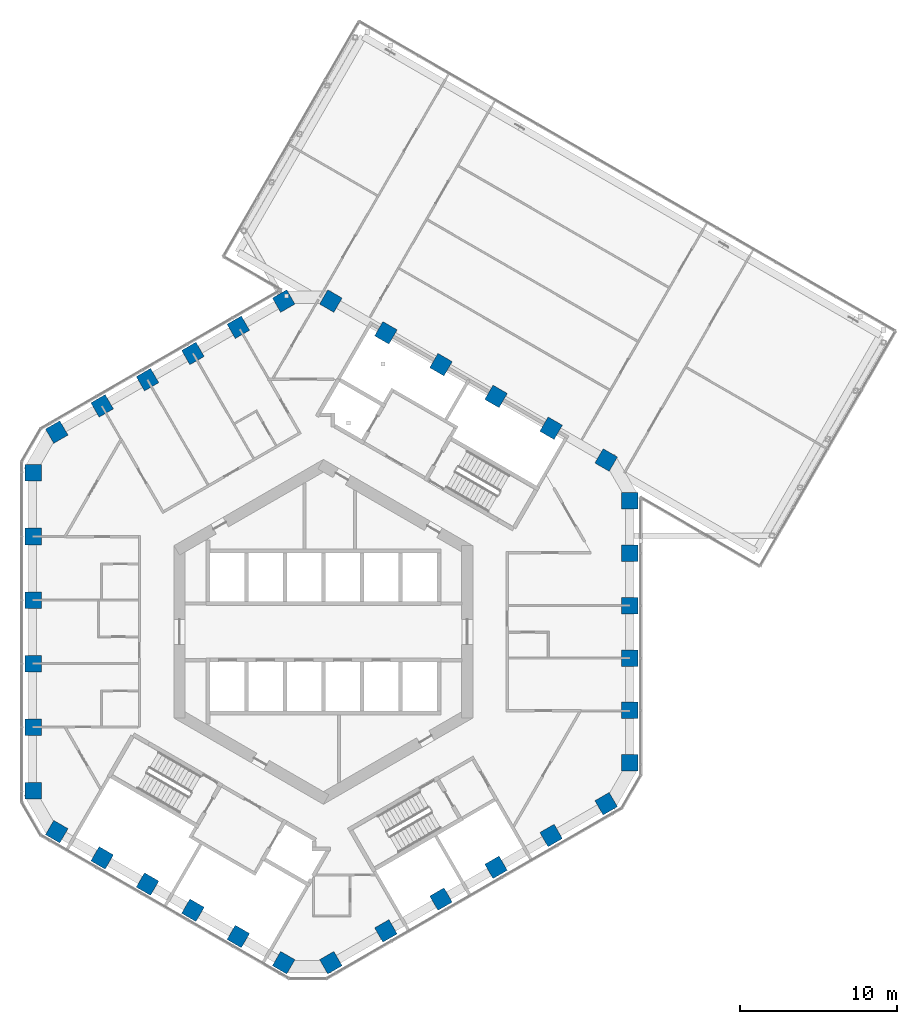
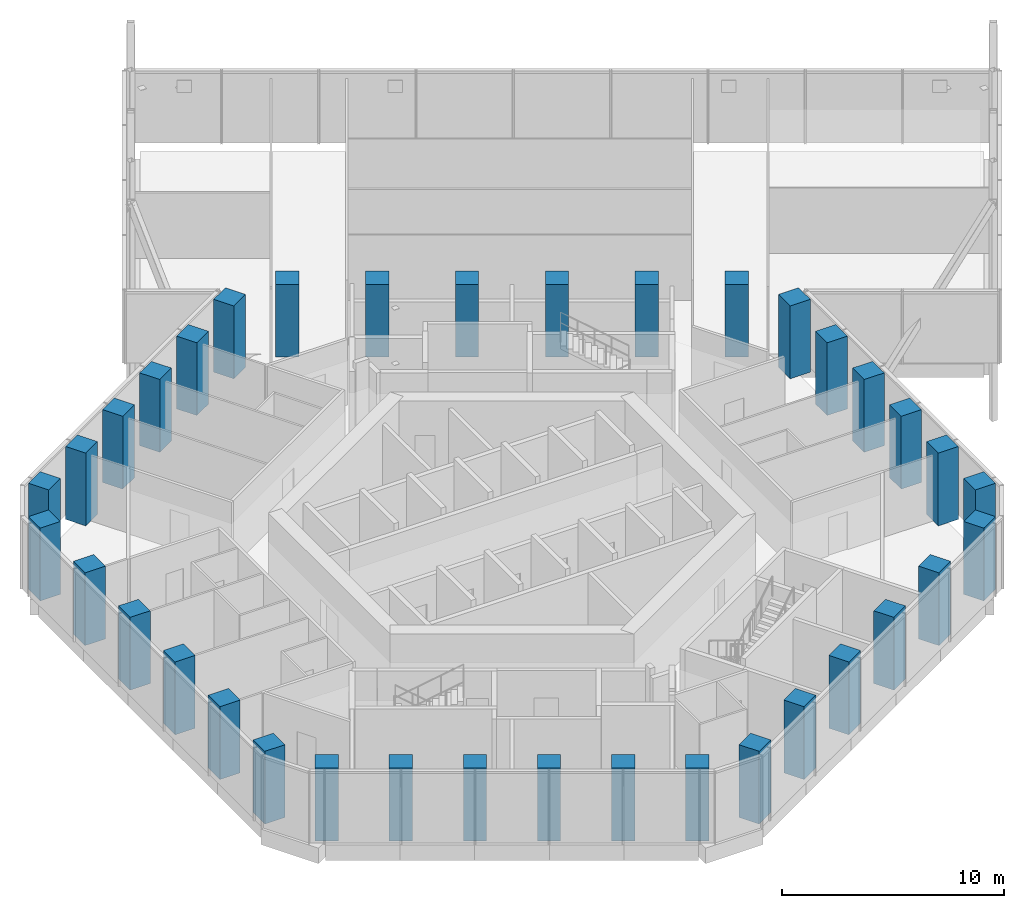
# One storey, part 1 of 25: 36 columns.
"""IFC4 building model written with IfcOpenShell, lengths in metres."""

from ifc_helpers import new_model, si_unit, direction, frame, origin, origin_2d, place, context, subcontext, project, spatial, rectangle, extrude, material, material_profile, profile_set, type_object, element, save


model = new_model("IFC4")

# Units and contexts
model_context = context("Model", 3, precision=1e-05, world=origin(), true_north=direction((0.0, 1.0)))
body_context = subcontext(model_context, "Body", "Model", "MODEL_VIEW")
ifc_project = project(units=[si_unit("LENGTHUNIT", "METRE"), si_unit("AREAUNIT", "SQUARE_METRE"), si_unit("VOLUMEUNIT", "CUBIC_METRE"), si_unit("PLANEANGLEUNIT", "RADIAN"), si_unit("MASSUNIT", "GRAM", prefix="KILO")], contexts=[model_context])

# Site, building, storey
site_placement = place(None, origin())
site = spatial("IfcSite", under=ifc_project, at=site_placement, CompositionType="ELEMENT")
building_placement = place(site_placement, origin())
building = spatial("IfcBuilding", under=site, at=building_placement, Name="Ayvan Gate Tower", CompositionType="ELEMENT")
storey_placement = place(building_placement, frame((0.0, 0.0, 139.89990234375)))
storey = spatial("IfcBuildingStorey", under=building, at=storey_placement, Name="L37", CompositionType="ELEMENT", Elevation=139.89990234375)

# Columns
ifc_material = material(Name="Concrete C60/75", Category="concrete")
ifc_material_profile = material_profile(ifc_material, rectangle(XDim=1.050048828125, YDim=1.050048828125, at=origin_2d()), Name="RC 1050x1050")
ifc_profile_set = profile_set([ifc_material_profile], Name="Concrete C60/75")
column_type = type_object("IfcColumnType", Name="Tube column RC 1050x1050 C60/75", PredefinedType="COLUMN", material=ifc_profile_set)
for number, where, z_axis, x_axis, name in (
    (1, (19.485595703125, -8.332763671875, 0.0), (0.0, 0.0, 1.0), (1.0, 0.0, 0.0), "C-T0-0-L37"),
    (2, (19.485595703125, -4.999755859375, 0.0), (0.0, 0.0, 1.0), (1.0, 0.0, 0.0), "C-T0-1-L37"),
    (3, (19.485595703125, -1.66650390625, 0.0), (0.0, 0.0, 1.0), (1.0, 0.0, 0.0), "C-T0-2-L37"),
    (4, (19.485595703125, 1.66650390625, 0.0), (0.0, 0.0, 1.0), (1.0, 0.0, 0.0), "C-T0-3-L37"),
    (5, (19.485595703125, 4.999755859375, 0.0), (0.0, 0.0, 1.0), (1.0, 0.0, 0.0), "C-T0-4-L37"),
    (6, (19.485595703125, 8.332763671875, 0.0), (0.0, 0.0, 1.0), (1.0, 0.0, 0.0), "C-T0-5-L37"),
    (7, (17.985595703125, 10.930908203125, 0.0), (0.0, 0.0, 1.0), (0.5, 0.866025403784, 0.0), "C-T1-0-L37"),
    (8, (14.483154296875, 12.952880859375, 0.0), (0.0, 0.0, 1.0), (0.5, 0.866025403784, 0.0), "C-T1-1-L37"),
    (9, (10.980712890625, 14.97509765625, 0.0), (0.0, 0.0, 1.0), (0.5, 0.866025403784, 0.0), "C-T1-2-L37"),
    (10, (7.478515625, 16.997314453125, 0.0), (0.0, 0.0, 1.0), (0.5, 0.866025403784, 0.0), "C-T1-3-L37"),
    (11, (3.97607421875, 19.019287109375, 0.0), (0.0, 0.0, 1.0), (0.5, 0.866025403784, 0.0), "C-T1-4-L37"),
    (12, (0.4736328125, 21.04150390625, 0.0), (0.0, 0.0, 1.0), (0.5, 0.866025403784, 0.0), "C-T1-5-L37"),
    (13, (-2.5263671875, 21.04150390625, 0.0), (0.0, 0.0, 1.0), (-0.5, 0.866025403784, 0.0), "C-T2-0-L37"),
    (14, (-5.412841796875, 19.374755859375, 0.0), (0.0, 0.0, 1.0), (-0.5, 0.866025403784, 0.0), "C-T2-1-L37"),
    (15, (-8.299560546875, 17.708251953125, 0.0), (0.0, 0.0, 1.0), (-0.5, 0.866025403784, 0.0), "C-T2-2-L37"),
    (16, (-11.18603515625, 16.041748046875, 0.0), (0.0, 0.0, 1.0), (-0.5, 0.866025403784, 0.0), "C-T2-3-L37"),
    (17, (-14.07275390625, 14.375244140625, 0.0), (0.0, 0.0, 1.0), (-0.5, 0.866025403784, 0.0), "C-T2-4-L37"),
    (18, (-16.959228515625, 12.70849609375, 0.0), (0.0, 0.0, 1.0), (-0.5, 0.866025403784, 0.0), "C-T2-5-L37"),
    (19, (-18.459228515625, 10.110595703125, 0.0), (0.0, 0.0, 1.0), (-1.0, 0.0, 0.0), "C-T3-0-L37"),
    (20, (-18.459228515625, 6.06640625, 0.0), (0.0, 0.0, 1.0), (-1.0, 0.0, 0.0), "C-T3-1-L37"),
    (21, (-18.459228515625, 2.022216796875, 0.0), (0.0, 0.0, 1.0), (-1.0, 0.0, 0.0), "C-T3-2-L37"),
    (22, (-18.459228515625, -2.022216796875, 0.0), (0.0, 0.0, 1.0), (-1.0, 0.0, 0.0), "C-T3-3-L37"),
    (23, (-18.459228515625, -6.06640625, 0.0), (0.0, 0.0, 1.0), (-1.0, 0.0, 0.0), "C-T3-4-L37"),
    (24, (-18.459228515625, -10.110595703125, 0.0), (0.0, 0.0, 1.0), (-1.0, 0.0, 0.0), "C-T3-5-L37"),
    (25, (-16.959228515625, -12.70849609375, 0.0), (0.0, 0.0, 1.0), (-0.5, -0.866025403784, 0.0), "C-T4-0-L37"),
    (26, (-14.07275390625, -14.375244140625, 0.0), (0.0, 0.0, 1.0), (-0.5, -0.866025403784, 0.0), "C-T4-1-L37"),
    (27, (-11.18603515625, -16.041748046875, 0.0), (0.0, 0.0, 1.0), (-0.5, -0.866025403784, 0.0), "C-T4-2-L37"),
    (28, (-8.299560546875, -17.708251953125, 0.0), (0.0, 0.0, 1.0), (-0.5, -0.866025403784, 0.0), "C-T4-3-L37"),
    (29, (-5.412841796875, -19.374755859375, 0.0), (0.0, 0.0, 1.0), (-0.5, -0.866025403784, 0.0), "C-T4-4-L37"),
    (30, (-2.5263671875, -21.04150390625, 0.0), (0.0, 0.0, 1.0), (-0.5, -0.866025403784, 0.0), "C-T4-5-L37"),
    (31, (0.4736328125, -21.04150390625, 0.0), (0.0, 0.0, 1.0), (0.5, -0.866025403784, 0.0), "C-T5-0-L37"),
    (32, (3.97607421875, -19.019287109375, 0.0), (0.0, 0.0, 1.0), (0.5, -0.866025403784, 0.0), "C-T5-1-L37"),
    (33, (7.478515625, -16.997314453125, 0.0), (0.0, 0.0, 1.0), (0.5, -0.866025403784, 0.0), "C-T5-2-L37"),
    (34, (10.980712890625, -14.97509765625, 0.0), (0.0, 0.0, 1.0), (0.5, -0.866025403784, 0.0), "C-T5-3-L37"),
    (35, (14.483154296875, -12.952880859375, 0.0), (0.0, 0.0, 1.0), (0.5, -0.866025403784, 0.0), "C-T5-4-L37"),
    (36, (17.985595703125, -10.930908203125, 0.0), (0.0, 0.0, 1.0), (0.5, -0.866025403784, 0.0), "C-T5-5-L37"),
):
    element("IfcColumn", number, at=place(storey_placement, frame(where, z_axis=z_axis, x_axis=x_axis)), inside=storey, type_object=column_type, Name=name, PredefinedType="COLUMN", context=body_context, shape_type="SweptSolid", body=[
        extrude(rectangle(XDim=1.050048828125, YDim=1.050048828125, at=origin_2d()), origin(), (0.0, 0.0, 1.0), 4.0),
    ])

save(model, "model.ifc")
